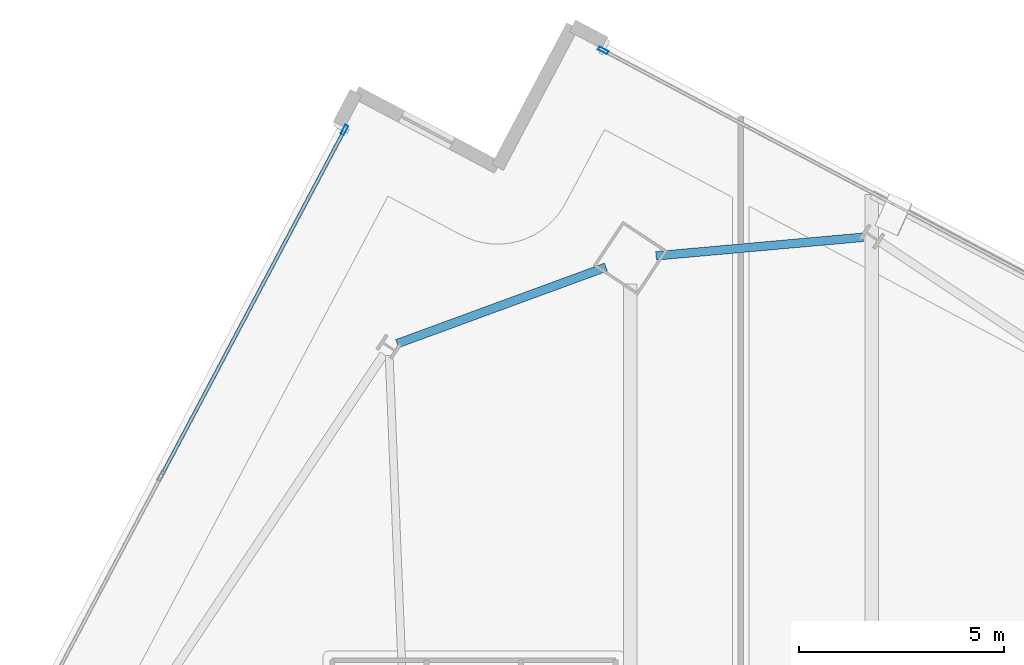
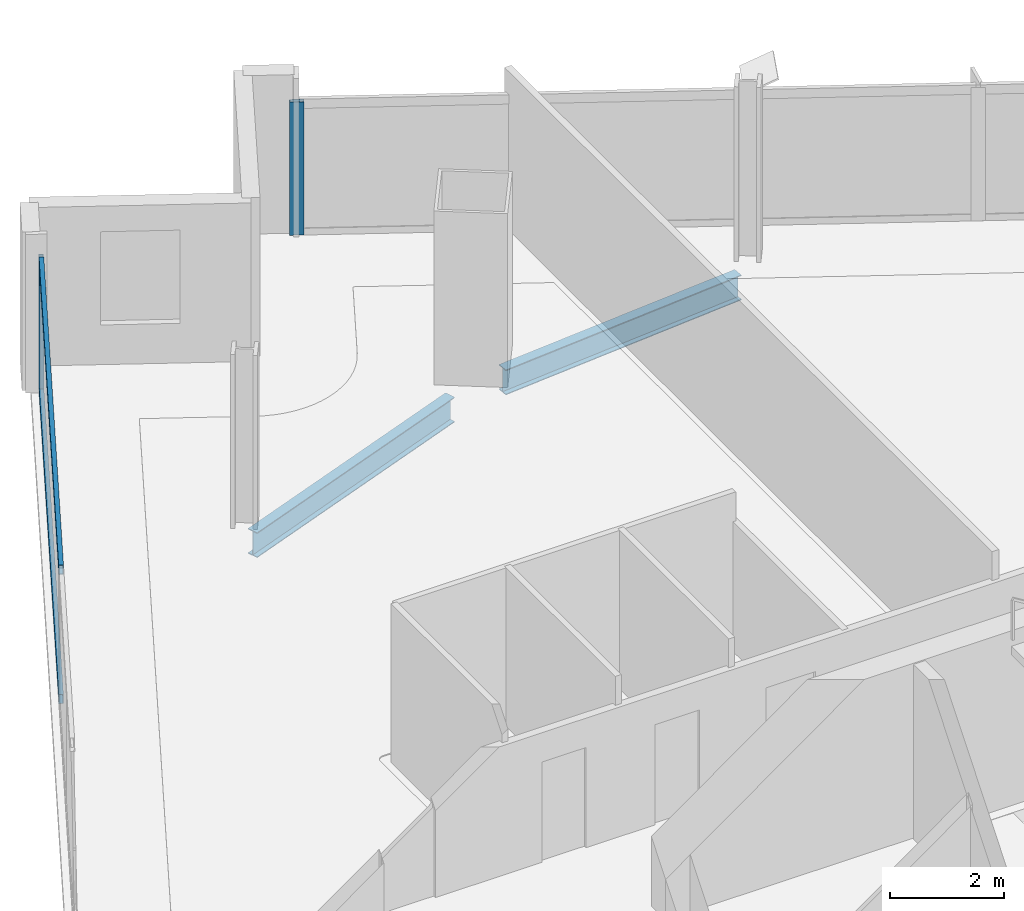
# One storey, part 15 of 28: 4 members, 2 beams, 2 elements without a shape of their own.
"""IFC4 building model written with IfcOpenShell, lengths in metres."""

from ifc_helpers import new_model, si_unit, direction, frame, origin, origin_2d, place, context, subcontext, project, spatial, hollow_rectangle, i_section, extrude, material, material_profile, profile_set, type_object, element, aggregate, save


model = new_model("IFC4")

# Units and contexts
model_context = context("Model", 3, precision=1e-05, world=origin(), true_north=direction((0.0, 1.0)))
body_context = subcontext(model_context, "Body", "Model", "MODEL_VIEW")
ifc_project = project(units=[si_unit("LENGTHUNIT", "METRE"), si_unit("AREAUNIT", "SQUARE_METRE"), si_unit("VOLUMEUNIT", "CUBIC_METRE"), si_unit("PLANEANGLEUNIT", "RADIAN"), si_unit("MASSUNIT", "GRAM", prefix="KILO")], contexts=[model_context])

# Site, building, storey
site_placement = place(None, origin())
site = spatial("IfcSite", under=ifc_project, at=site_placement, CompositionType="ELEMENT")
building_placement = place(site_placement, origin())
building = spatial("IfcBuilding", under=site, at=building_placement, Name="Haldenkirk Collegiate Tower", CompositionType="ELEMENT")
storey_placement = place(building_placement, frame((0.0, 0.0, 235.949951171875)))
storey = spatial("IfcBuildingStorey", under=building, at=storey_placement, Name="L59", CompositionType="ELEMENT", Elevation=235.949951171875)

# Beams
ifc_material_1 = material(Name="Steel ASTM A992 Grade 50", Category="steel")
ifc_material_profile_1 = material_profile(ifc_material_1, i_section(OverallWidth=0.2099609375, OverallDepth=0.537109375, WebThickness=0.010986328125, FlangeThickness=0.017333984375, at=origin_2d()), Name="W21X68")
ifc_profile_set_1 = profile_set([ifc_material_profile_1], Name="Steel ASTM A992 Grade 50")
beam_type = type_object("IfcBeamType", Name="BM-SPANDREL-W21X68", PredefinedType="SPANDREL", material=ifc_profile_set_1)
beam_1_placement = place(storey_placement, frame((37.9765625, 50.649169921875, -0.54833984375), z_axis=(-0.996001224794, -0.089339578066, 0.0), x_axis=(0.089339578066, -0.996001224794, 0.0)))
element("IfcBeam", 1, at=beam_1_placement, inside=storey, type_object=beam_type, Name="L59 perimeter spandrel beam 08", PredefinedType="SPANDREL", context=body_context, shape_type="SweptSolid", body=[
    extrude(i_section(OverallWidth=0.2099609375, OverallDepth=0.537109375, WebThickness=0.010986328125, FlangeThickness=0.017333984375, at=origin_2d()), origin(), (0.0, 0.0, 1.0), 5.06103515625),
])
beam_2_placement = place(storey_placement, frame((31.716796875, 49.923828125, -0.54833984375), z_axis=(-0.938842319963, -0.344347351153, 0.0), x_axis=(0.344347351153, -0.938842319963, 0.0)))
element("IfcBeam", 2, at=beam_2_placement, inside=storey, type_object=beam_type, Name="L59 perimeter spandrel beam 09", PredefinedType="SPANDREL", context=body_context, shape_type="SweptSolid", body=[
    extrude(i_section(OverallWidth=0.2099609375, OverallDepth=0.537109375, WebThickness=0.010986328125, FlangeThickness=0.017333984375, at=origin_2d()), origin(), (0.0, 0.0, 1.0), 5.416748046875),
])

# Curtain wall, member
ifc_material_2 = material(Name="Anodised architectural bronze aluminium", Category="aluminium")
curtain_wall_type = type_object("IfcCurtainWallType", Name="CW-SYS1B-CONVEX-HI", PredefinedType="USERDEFINED", material=ifc_material_2)
curtain_wall_1_placement = place(storey_placement, origin())
curtain_wall_1 = element("IfcCurtainWall", 3, at=curtain_wall_1_placement, inside=storey, type_object=curtain_wall_type, Name="L59 Upper tower high-wind convex bronze unitised curtain wall", ObjectType="UNITISED CURTAIN WALL", PredefinedType="USERDEFINED")
ifc_material_profile_2 = material_profile(ifc_material_2, hollow_rectangle(XDim=0.0849609375, YDim=0.25, WallThickness=0.0048828125, at=origin_2d()), Name="CW-MUL-1B")
ifc_profile_set_2 = profile_set([ifc_material_profile_2], Name="Anodised architectural bronze aluminium")
member_type_1 = type_object("IfcMemberType", Name="CW-MUL-1B", PredefinedType="MULLION", material=ifc_profile_set_2)
member_1_placement = place(storey_placement, frame((31.650146484375, 55.199462890625, 0.0), z_axis=(0.0, 0.0, 1.0), x_axis=(0.46792987673, 0.883765597013, 0.0)))
member_1 = element("IfcMember", 4, at=member_1_placement, type_object=member_type_1, Name="CW-1B mullion 1", PredefinedType="MULLION", context=body_context, shape_type="SweptSolid", body=[
    extrude(hollow_rectangle(XDim=0.0849609375, YDim=0.25, WallThickness=0.0048828125, at=origin_2d()), origin(), (0.0, 0.0, 1.0), 2.858154296875),
])
aggregate(curtain_wall_1, [member_1])

# Curtain wall, members
curtain_wall_2_placement = place(storey_placement, origin())
curtain_wall_2 = element("IfcCurtainWall", 5, at=curtain_wall_2_placement, inside=storey, type_object=curtain_wall_type, Name="L59 Upper tower high-wind convex bronze unitised curtain wall", ObjectType="UNITISED CURTAIN WALL", PredefinedType="USERDEFINED")
member_2_placement = place(storey_placement, frame((25.347900390625, 53.260498046875, 0.0), z_axis=(0.0, 0.0, 1.0), x_axis=(-0.883764543584, 0.467931866304, 0.0)))
member_2 = element("IfcMember", 6, at=member_2_placement, type_object=member_type_1, Name="CW-1B mullion 5", PredefinedType="MULLION", context=body_context, shape_type="SweptSolid", body=[
    extrude(hollow_rectangle(XDim=0.0849609375, YDim=0.25, WallThickness=0.0048828125, at=origin_2d()), origin(), (0.0, 0.0, 1.0), 2.858154296875),
])
ifc_material_profile_3 = material_profile(ifc_material_2, hollow_rectangle(XDim=0.0849609375, YDim=0.199951171875, WallThickness=0.0048828125, at=origin_2d()), Name="CW-TRN-1B")
ifc_profile_set_3 = profile_set([ifc_material_profile_3], Name="Anodised architectural bronze aluminium")
member_type_2 = type_object("IfcMemberType", Name="CW-TRN-1B", PredefinedType="USERDEFINED", material=ifc_profile_set_3)
member_3_placement = place(storey_placement, frame((20.9072265625, 44.87353515625, 0.04248046875), z_axis=(0.467941148984, 0.883759628568, 0.0), x_axis=(-0.883759628568, 0.467941148984, 0.0)))
member_3 = element("IfcMember", 7, at=member_3_placement, type_object=member_type_2, Name="CW-1B transom 4.1", ObjectType="TRANSOM", PredefinedType="USERDEFINED", context=body_context, shape_type="SweptSolid", body=[
    extrude(hollow_rectangle(XDim=0.0849609375, YDim=0.199951171875, WallThickness=0.0048828125, at=origin_2d()), origin(), (0.0, 0.0, 1.0), 9.447509765625),
])
member_4_placement = place(storey_placement, frame((20.9072265625, 44.87353515625, 2.8154296875), z_axis=(0.467941148984, 0.883759628568, 0.0), x_axis=(-0.883759628568, 0.467941148984, 0.0)))
member_4 = element("IfcMember", 8, at=member_4_placement, type_object=member_type_2, Name="CW-1B transom 4.2", ObjectType="TRANSOM", PredefinedType="USERDEFINED", context=body_context, shape_type="SweptSolid", body=[
    extrude(hollow_rectangle(XDim=0.0849609375, YDim=0.199951171875, WallThickness=0.0048828125, at=origin_2d()), origin(), (0.0, 0.0, 1.0), 9.447509765625),
])
aggregate(curtain_wall_2, [member_2, member_3, member_4])

save(model, "model.ifc")
